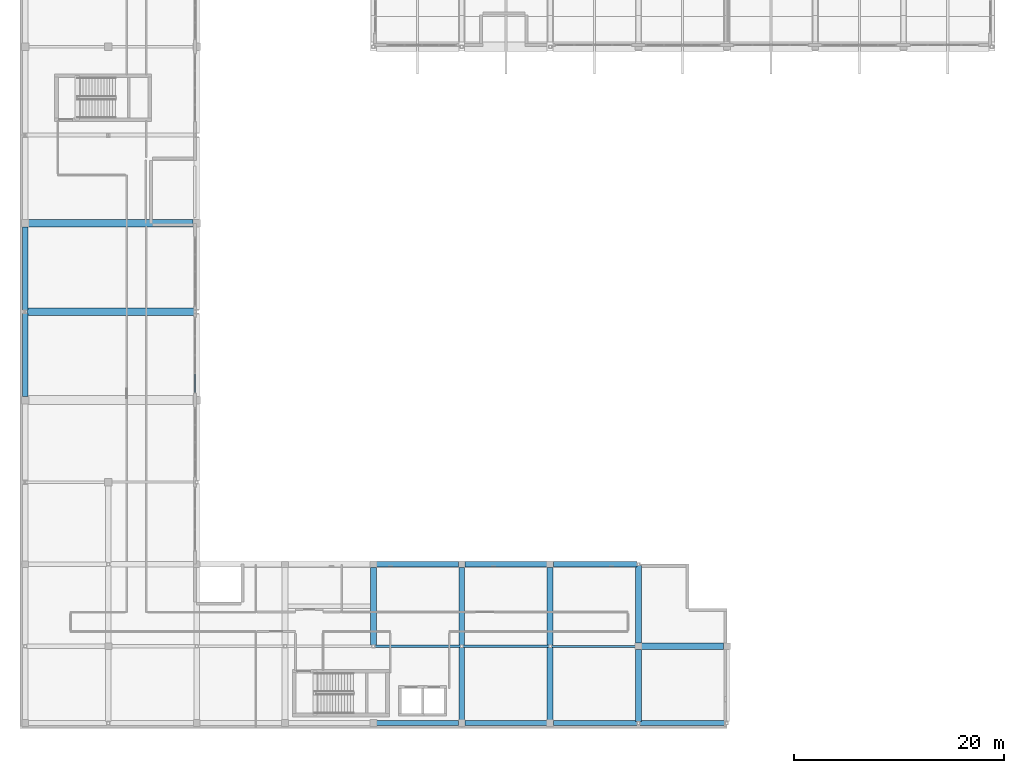
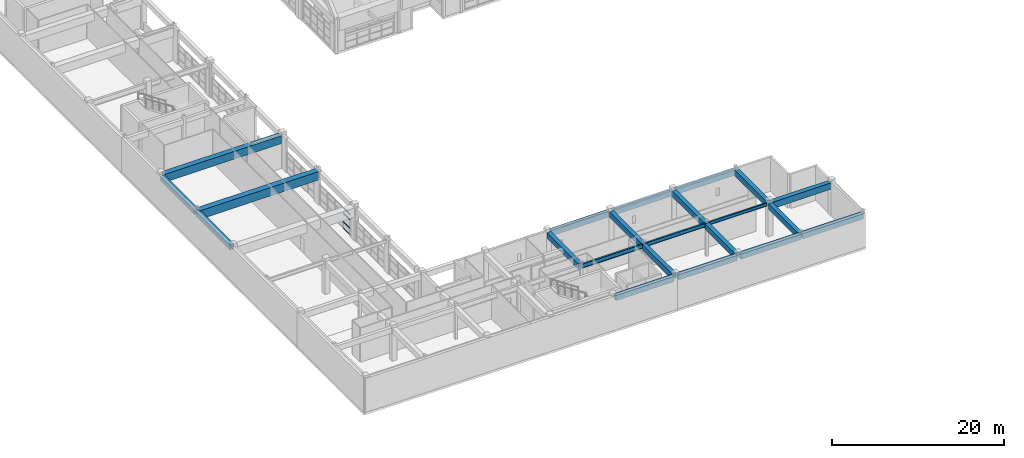
# One storey, part 15 of 103: 22 beams, 4 members, 1 element without a shape of its own.
"""IFC4 building model written with IfcOpenShell, lengths in metres."""

from ifc_helpers import new_model, si_unit, direction, frame, origin, origin_2d, place, context, subcontext, project, spatial, rectangle, hollow_rectangle, i_section, extrude, material, layer, layer_set, material_profile, profile_set, type_object, element, aggregate, save


model = new_model("IFC4")

# Units and contexts
model_context = context("Model", 3, precision=1e-05, world=origin(), true_north=direction((0.0, 1.0)))
body_context = subcontext(model_context, "Body", "Model", "MODEL_VIEW")
ifc_project = project(units=[si_unit("LENGTHUNIT", "METRE"), si_unit("AREAUNIT", "SQUARE_METRE"), si_unit("VOLUMEUNIT", "CUBIC_METRE"), si_unit("PLANEANGLEUNIT", "RADIAN"), si_unit("MASSUNIT", "GRAM", prefix="KILO")], contexts=[model_context])

# Site, building, storey
site_placement = place(None, origin())
site = spatial("IfcSite", under=ifc_project, at=site_placement, CompositionType="ELEMENT")
building_placement = place(site_placement, origin())
building = spatial("IfcBuilding", under=site, at=building_placement, Name="Quendrovan Civic Courthouse", CompositionType="ELEMENT")
storey_placement = place(building_placement, frame((0.0, 0.0, 15.300048828125)))
storey = spatial("IfcBuildingStorey", under=building, at=storey_placement, Name="L04", CompositionType="ELEMENT", Elevation=15.300048828125)

# Beams
ifc_material_1 = material(Name="Post-tensioned concrete C50/60", Category="concrete")
ifc_material_profile_1 = material_profile(ifc_material_1, rectangle(XDim=0.699951171875, YDim=1.10009765625, at=origin_2d()), Name="PT-GIRD-700x1100")
ifc_profile_set_1 = profile_set([ifc_material_profile_1], Name="Post-tensioned concrete C50/60")
beam_type_1 = type_object("IfcBeamType", Name="BM-PT1100", PredefinedType="BEAM", material=ifc_profile_set_1)
beam_1_placement = place(storey_placement, frame((0.830078125, 48.0, 4.10986328125), z_axis=(1.0, 0.0, 0.0), x_axis=(0.0, 1.0, 0.0)))
element("IfcBeam", 1, at=beam_1_placement, inside=storey, type_object=beam_type_1, Name="L04 Girder X0903", PredefinedType="BEAM", context=body_context, shape_type="SweptSolid", body=[
    extrude(rectangle(XDim=0.699951171875, YDim=1.10009765625, at=origin_2d()), origin(), (0.0, 0.0, 1.0), 15.639892578125),
])
ifc_material_profile_2 = material_profile(ifc_material_1, rectangle(XDim=0.75, YDim=1.199951171875, at=origin_2d()), Name="PT-GIRD-750x1200")
ifc_profile_set_2 = profile_set([ifc_material_profile_2], Name="Post-tensioned concrete C50/60")
beam_type_2 = type_object("IfcBeamType", Name="BM-PT1200", PredefinedType="BEAM", material=ifc_profile_set_2)
beam_2_placement = place(storey_placement, frame((0.6669921875, 39.60009765625, 4.06005859375), z_axis=(1.0, 0.0, 0.0), x_axis=(0.0, 1.0, 0.0)))
element("IfcBeam", 2, at=beam_2_placement, inside=storey, type_object=beam_type_2, Name="L04 Girder X0902", PredefinedType="BEAM", context=body_context, shape_type="SweptSolid", body=[
    extrude(rectangle(XDim=0.75, YDim=1.199951171875, at=origin_2d()), origin(), (0.0, 0.0, 1.0), 15.966064453125),
])
ifc_material_2 = material(Name="Concrete C40/50", Category="concrete")
ifc_material_profile_3 = material_profile(ifc_material_2, rectangle(XDim=0.5, YDim=0.75, at=origin_2d()), Name="RC-BM-500x750")
ifc_profile_set_3 = profile_set([ifc_material_profile_3], Name="Concrete C40/50")
beam_type_3 = type_object("IfcBeamType", Name="BM-RC750", PredefinedType="SPANDREL", material=ifc_profile_set_3)
for number, where, z_axis, x_axis, name in (
    (3, (33.905029296875, 0.5, 4.284912109375), (1.0, 0.0, 0.0), (0.0, 1.0, 0.0), "L04 Girder X0880"),
    (4, (42.304931640625, 0.5, 4.284912109375), (1.0, 0.0, 0.0), (0.0, 1.0, 0.0), "L04 Girder X0881"),
):
    element("IfcBeam", number, at=place(storey_placement, frame(where, z_axis=z_axis, x_axis=x_axis)), inside=storey, type_object=beam_type_3, Name=name, PredefinedType="SPANDREL", context=body_context, shape_type="SweptSolid", body=[
        extrude(rectangle(XDim=0.5, YDim=0.75, at=origin_2d()), origin(), (0.0, 0.0, 1.0), 7.7900390625),
    ])
beam_3_placement = place(storey_placement, frame((50.705078125, 0.5, 4.284912109375), z_axis=(1.0, 0.0, 0.0), x_axis=(0.0, 1.0, 0.0)))
element("IfcBeam", 5, at=beam_3_placement, inside=storey, type_object=beam_type_3, Name="L04 Girder X0882", PredefinedType="SPANDREL", context=body_context, shape_type="SweptSolid", body=[
    extrude(rectangle(XDim=0.5, YDim=0.75, at=origin_2d()), origin(), (0.0, 0.0, 1.0), 7.96484375),
])
beam_4_placement = place(storey_placement, frame((58.929931640625, 0.5, 4.284912109375), z_axis=(1.0, 0.0, 0.0), x_axis=(0.0, 1.0, 0.0)))
element("IfcBeam", 6, at=beam_4_placement, inside=storey, type_object=beam_type_3, Name="L04 Girder X0883", PredefinedType="SPANDREL", context=body_context, shape_type="SweptSolid", body=[
    extrude(rectangle(XDim=0.5, YDim=0.75, at=origin_2d()), origin(), (0.0, 0.0, 1.0), 8.14013671875),
])
for number, where, z_axis, x_axis, name in (
    (7, (33.905029296875, 15.60009765625, 4.284912109375), (1.0, 0.0, 0.0), (0.0, 1.0, 0.0), "L04 Girder X0896"),
    (8, (42.304931640625, 15.60009765625, 4.284912109375), (1.0, 0.0, 0.0), (0.0, 1.0, 0.0), "L04 Girder X0897"),
):
    element("IfcBeam", number, at=place(storey_placement, frame(where, z_axis=z_axis, x_axis=x_axis)), inside=storey, type_object=beam_type_3, Name=name, PredefinedType="SPANDREL", context=body_context, shape_type="SweptSolid", body=[
        extrude(rectangle(XDim=0.5, YDim=0.75, at=origin_2d()), origin(), (0.0, 0.0, 1.0), 7.7900390625),
    ])
beam_5_placement = place(storey_placement, frame((50.705078125, 15.60009765625, 4.284912109375), z_axis=(1.0, 0.0, 0.0), x_axis=(0.0, 1.0, 0.0)))
element("IfcBeam", 9, at=beam_5_placement, inside=storey, type_object=beam_type_3, Name="L04 Girder X0898", PredefinedType="SPANDREL", context=body_context, shape_type="SweptSolid", body=[
    extrude(rectangle(XDim=0.5, YDim=0.75, at=origin_2d()), origin(), (0.0, 0.0, 1.0), 7.96484375),
])
beam_6_placement = place(storey_placement, frame((0.5, 31.530029296875, 4.284912109375), z_axis=(0.0, 1.0, 0.0), x_axis=(-1.0, 0.0, 0.0)))
element("IfcBeam", 10, at=beam_6_placement, inside=storey, type_object=beam_type_3, Name="L04 Girder Y0940", PredefinedType="SPANDREL", context=body_context, shape_type="SweptSolid", body=[
    extrude(rectangle(XDim=0.5, YDim=0.75, at=origin_2d()), origin(), (0.0, 0.0, 1.0), 7.904052734375),
])
beam_7_placement = place(storey_placement, frame((0.5, 39.76611328125, 4.284912109375), z_axis=(0.0, 1.0, 0.0), x_axis=(-1.0, 0.0, 0.0)))
element("IfcBeam", 11, at=beam_7_placement, inside=storey, type_object=beam_type_3, Name="L04 Girder Y0941", PredefinedType="SPANDREL", context=body_context, shape_type="SweptSolid", body=[
    extrude(rectangle(XDim=0.5, YDim=0.75, at=origin_2d()), origin(), (0.0, 0.0, 1.0), 7.90380859375),
])
ifc_material_profile_4 = material_profile(ifc_material_2, rectangle(XDim=0.550048828125, YDim=0.800048828125, at=origin_2d()), Name="RC-BM-550x800")
ifc_profile_set_4 = profile_set([ifc_material_profile_4], Name="Concrete C40/50")
beam_type_4 = type_object("IfcBeamType", Name="BM-RC800", PredefinedType="BEAM", material=ifc_profile_set_4)
beam_8_placement = place(storey_placement, frame((33.60009765625, 7.929931640625, 4.260009765625), z_axis=(0.0, 1.0, 0.0), x_axis=(-1.0, 0.0, 0.0)))
element("IfcBeam", 12, at=beam_8_placement, inside=storey, type_object=beam_type_4, Name="L04 Girder Y0964", PredefinedType="BEAM", context=body_context, shape_type="SweptSolid", body=[
    extrude(rectangle(XDim=0.550048828125, YDim=0.800048828125, at=origin_2d()), origin(), (0.0, 0.0, 1.0), 7.364990234375),
])
beam_9_placement = place(storey_placement, frame((42.0, 0.804931640625, 4.260009765625), z_axis=(0.0, 1.0, 0.0), x_axis=(-1.0, 0.0, 0.0)))
element("IfcBeam", 13, at=beam_9_placement, inside=storey, type_object=beam_type_4, Name="L04 Girder Y0968", PredefinedType="BEAM", context=body_context, shape_type="SweptSolid", body=[
    extrude(rectangle(XDim=0.550048828125, YDim=0.800048828125, at=origin_2d()), origin(), (0.0, 0.0, 1.0), 6.864990234375),
])
beam_10_placement = place(storey_placement, frame((42.0, 7.929931640625, 4.260009765625), z_axis=(0.0, 1.0, 0.0), x_axis=(-1.0, 0.0, 0.0)))
element("IfcBeam", 14, at=beam_10_placement, inside=storey, type_object=beam_type_4, Name="L04 Girder Y0969", PredefinedType="BEAM", context=body_context, shape_type="SweptSolid", body=[
    extrude(rectangle(XDim=0.550048828125, YDim=0.800048828125, at=origin_2d()), origin(), (0.0, 0.0, 1.0), 7.364990234375),
])
beam_11_placement = place(storey_placement, frame((50.39990234375, 0.804931640625, 4.260009765625), z_axis=(0.0, 1.0, 0.0), x_axis=(-1.0, 0.0, 0.0)))
element("IfcBeam", 15, at=beam_11_placement, inside=storey, type_object=beam_type_4, Name="L04 Girder Y0970", PredefinedType="BEAM", context=body_context, shape_type="SweptSolid", body=[
    extrude(rectangle(XDim=0.550048828125, YDim=0.800048828125, at=origin_2d()), origin(), (0.0, 0.0, 1.0), 6.864990234375),
])
beam_12_placement = place(storey_placement, frame((50.39990234375, 7.929931640625, 4.260009765625), z_axis=(0.0, 1.0, 0.0), x_axis=(-1.0, 0.0, 0.0)))
element("IfcBeam", 16, at=beam_12_placement, inside=storey, type_object=beam_type_4, Name="L04 Girder Y0971", PredefinedType="BEAM", context=body_context, shape_type="SweptSolid", body=[
    extrude(rectangle(XDim=0.550048828125, YDim=0.800048828125, at=origin_2d()), origin(), (0.0, 0.0, 1.0), 7.364990234375),
])
beam_13_placement = place(storey_placement, frame((58.800048828125, 0.6298828125, 4.260009765625), z_axis=(0.0, 1.0, 0.0), x_axis=(-1.0, 0.0, 0.0)))
element("IfcBeam", 17, at=beam_13_placement, inside=storey, type_object=beam_type_4, Name="L04 Girder Y0974", PredefinedType="BEAM", context=body_context, shape_type="SweptSolid", body=[
    extrude(rectangle(XDim=0.550048828125, YDim=0.800048828125, at=origin_2d()), origin(), (0.0, 0.0, 1.0), 6.865234375),
])
beam_14_placement = place(storey_placement, frame((58.800048828125, 8.10498046875, 4.260009765625), z_axis=(0.0, 1.0, 0.0), x_axis=(-1.0, 0.0, 0.0)))
element("IfcBeam", 18, at=beam_14_placement, inside=storey, type_object=beam_type_4, Name="L04 Girder Y0975", PredefinedType="BEAM", context=body_context, shape_type="SweptSolid", body=[
    extrude(rectangle(XDim=0.550048828125, YDim=0.800048828125, at=origin_2d()), origin(), (0.0, 0.0, 1.0), 7.364990234375),
])
ifc_material_profile_5 = material_profile(ifc_material_2, rectangle(XDim=0.60009765625, YDim=0.89990234375, at=origin_2d()), Name="RC-BM-600x900")
ifc_profile_set_5 = profile_set([ifc_material_profile_5], Name="Concrete C40/50")
beam_type_5 = type_object("IfcBeamType", Name="BM-RC900", PredefinedType="BEAM", material=ifc_profile_set_5)
beam_15_placement = place(storey_placement, frame((59.10498046875, 7.800048828125, 4.2099609375), z_axis=(1.0, 0.0, 0.0), x_axis=(0.0, 1.0, 0.0)))
element("IfcBeam", 19, at=beam_15_placement, inside=storey, type_object=beam_type_5, Name="L04 Girder X0891", PredefinedType="BEAM", context=body_context, shape_type="SweptSolid", body=[
    extrude(rectangle(XDim=0.60009765625, YDim=0.89990234375, at=origin_2d()), origin(), (0.0, 0.0, 1.0), 7.7900390625),
])
ifc_material_3 = material(Name="Steel ASTM A992 Grade 50", Category="steel")
ifc_material_profile_6 = material_profile(ifc_material_3, i_section(OverallWidth=0.18994140625, OverallDepth=0.45703125, WebThickness=0.009033203125, FlangeThickness=0.014404296875, at=origin_2d()), Name="W18X50")
ifc_profile_set_6 = profile_set([ifc_material_profile_6], Name="Steel ASTM A992 Grade 50")
beam_type_6 = type_object("IfcBeamType", Name="BM-STL-W18", PredefinedType="JOIST", material=ifc_profile_set_6)
beam_16_placement = place(storey_placement, frame((50.530029296875, 7.800048828125, 4.431396484375), z_axis=(1.0, 0.0, 0.0), x_axis=(0.0, 1.0, 0.0)))
element("IfcBeam", 20, at=beam_16_placement, inside=storey, type_object=beam_type_6, Name="L04 Girder X0890", PredefinedType="JOIST", context=body_context, shape_type="SweptSolid", body=[
    extrude(i_section(OverallWidth=0.18994140625, OverallDepth=0.45703125, WebThickness=0.009033203125, FlangeThickness=0.014404296875, at=origin_2d()), origin(), (0.0, 0.0, 1.0), 7.965087890625),
])
ifc_material_profile_7 = material_profile(ifc_material_3, i_section(OverallWidth=0.208984375, OverallDepth=0.532958984375, WebThickness=0.01025390625, FlangeThickness=0.015625, at=origin_2d()), Name="W21X62")
ifc_profile_set_7 = profile_set([ifc_material_profile_7], Name="Steel ASTM A992 Grade 50")
beam_type_7 = type_object("IfcBeamType", Name="BM-STL-W21", PredefinedType="JOIST", material=ifc_profile_set_7)
beam_17_placement = place(storey_placement, frame((42.1298828125, 7.800048828125, 4.3935546875), z_axis=(1.0, 0.0, 0.0), x_axis=(0.0, 1.0, 0.0)))
element("IfcBeam", 21, at=beam_17_placement, inside=storey, type_object=beam_type_7, Name="L04 Girder X0889", PredefinedType="JOIST", context=body_context, shape_type="SweptSolid", body=[
    extrude(i_section(OverallWidth=0.208984375, OverallDepth=0.532958984375, WebThickness=0.01025390625, FlangeThickness=0.015625, at=origin_2d()), origin(), (0.0, 0.0, 1.0), 8.14013671875),
])
ifc_material_profile_8 = material_profile(ifc_material_3, i_section(OverallWidth=0.22802734375, OverallDepth=0.60693359375, WebThickness=0.01123046875, FlangeThickness=0.017333984375, at=origin_2d()), Name="W24X76")
ifc_profile_set_8 = profile_set([ifc_material_profile_8], Name="Steel ASTM A992 Grade 50")
beam_type_8 = type_object("IfcBeamType", Name="BM-STL-W24", PredefinedType="BEAM", material=ifc_profile_set_8)
beam_18_placement = place(storey_placement, frame((33.72998046875, 7.800048828125, 4.3564453125), z_axis=(1.0, 0.0, 0.0), x_axis=(0.0, 1.0, 0.0)))
element("IfcBeam", 22, at=beam_18_placement, inside=storey, type_object=beam_type_8, Name="L04 Girder X0888", PredefinedType="BEAM", context=body_context, shape_type="SweptSolid", body=[
    extrude(i_section(OverallWidth=0.22802734375, OverallDepth=0.60693359375, WebThickness=0.01123046875, FlangeThickness=0.017333984375, at=origin_2d()), origin(), (0.0, 0.0, 1.0), 8.14013671875),
])

# Curtain wall, members
ifc_material_4 = material(Name="Bronze anodised aluminium and low-E glass", Category="aluminium")
ifc_layer = layer(ifc_material_4, 0.179931640625, Name="Bronze anodised aluminium and low-E glass")
ifc_layer_set = layer_set([ifc_layer], Name="Bronze anodised aluminium and low-E glass")
curtain_wall_type = type_object("IfcCurtainWallType", Name="CW-U72x30", PredefinedType="USERDEFINED", material=ifc_layer_set)
curtain_wall_placement = place(storey_placement, origin())
curtain_wall = element("IfcCurtainWall", 23, at=curtain_wall_placement, inside=storey, type_object=curtain_wall_type, Name="L04 Unitised Hurricane Curtain Wall CW-152", ObjectType="UNITISED CURTAIN WALL", PredefinedType="USERDEFINED")
ifc_material_5 = material(Name="Bronze anodised aluminium", Category="aluminium")
ifc_material_profile_9 = material_profile(ifc_material_5, hollow_rectangle(XDim=0.070068359375, YDim=0.139892578125, WallThickness=0.00390625, at=origin_2d()), Name="CW-TRAN-70x140")
ifc_profile_set_9 = profile_set([ifc_material_profile_9], Name="Bronze anodised aluminium")
member_type = type_object("IfcMemberType", Name="CW-TRAN-A", PredefinedType="USERDEFINED", material=ifc_profile_set_9)
member_1_placement = place(storey_placement, frame((16.635009765625, 33.65576171875, 0.034912109375), z_axis=(0.0, -1.0, 0.0), x_axis=(1.0, 0.0, 0.0)))
member_1 = element("IfcMember", 24, at=member_1_placement, type_object=member_type, Name="CW-152 transom 4.1", ObjectType="TRANSOM", PredefinedType="USERDEFINED", context=body_context, shape_type="SweptSolid", body=[
    extrude(hollow_rectangle(XDim=0.070068359375, YDim=0.139892578125, WallThickness=0.00390625, at=origin_2d()), origin(), (0.0, 0.0, 1.0), 1.685791015625),
])
member_2_placement = place(storey_placement, frame((16.635009765625, 33.65576171875, 0.949951171875), z_axis=(0.0, -1.0, 0.0), x_axis=(1.0, 0.0, 0.0)))
member_2 = element("IfcMember", 25, at=member_2_placement, type_object=member_type, Name="CW-152 transom 4.2", ObjectType="TRANSOM", PredefinedType="USERDEFINED", context=body_context, shape_type="SweptSolid", body=[
    extrude(hollow_rectangle(XDim=0.070068359375, YDim=0.139892578125, WallThickness=0.00390625, at=origin_2d()), origin(), (0.0, 0.0, 1.0), 1.685791015625),
])
member_3_placement = place(storey_placement, frame((16.635009765625, 33.65576171875, 2.14990234375), z_axis=(0.0, -1.0, 0.0), x_axis=(1.0, 0.0, 0.0)))
member_3 = element("IfcMember", 26, at=member_3_placement, type_object=member_type, Name="CW-152 transom 4.3", ObjectType="TRANSOM", PredefinedType="USERDEFINED", context=body_context, shape_type="SweptSolid", body=[
    extrude(hollow_rectangle(XDim=0.070068359375, YDim=0.139892578125, WallThickness=0.00390625, at=origin_2d()), origin(), (0.0, 0.0, 1.0), 1.685791015625),
])
member_4_placement = place(storey_placement, frame((16.635009765625, 33.65576171875, 2.93505859375), z_axis=(0.0, -1.0, 0.0), x_axis=(1.0, 0.0, 0.0)))
member_4 = element("IfcMember", 27, at=member_4_placement, type_object=member_type, Name="CW-152 transom 4.4", ObjectType="TRANSOM", PredefinedType="USERDEFINED", context=body_context, shape_type="SweptSolid", body=[
    extrude(hollow_rectangle(XDim=0.070068359375, YDim=0.139892578125, WallThickness=0.00390625, at=origin_2d()), origin(), (0.0, 0.0, 1.0), 1.685791015625),
])
aggregate(curtain_wall, [member_1, member_2, member_3, member_4])

save(model, "model.ifc")
